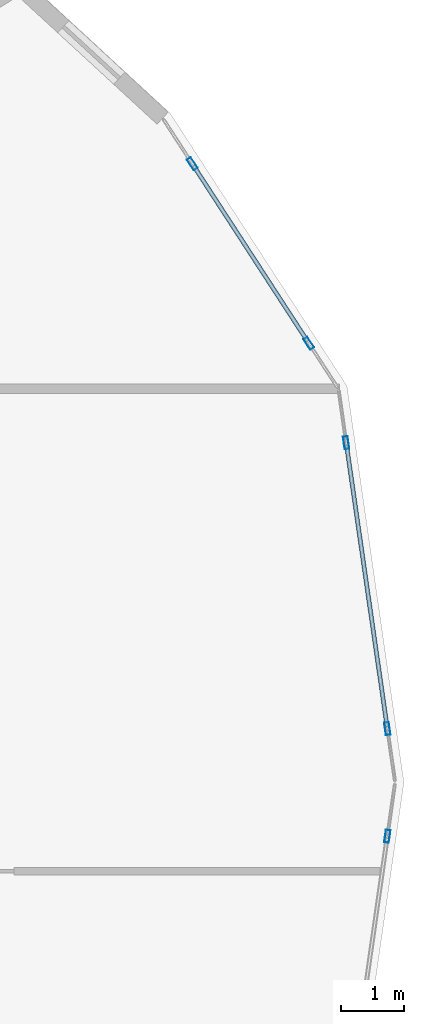
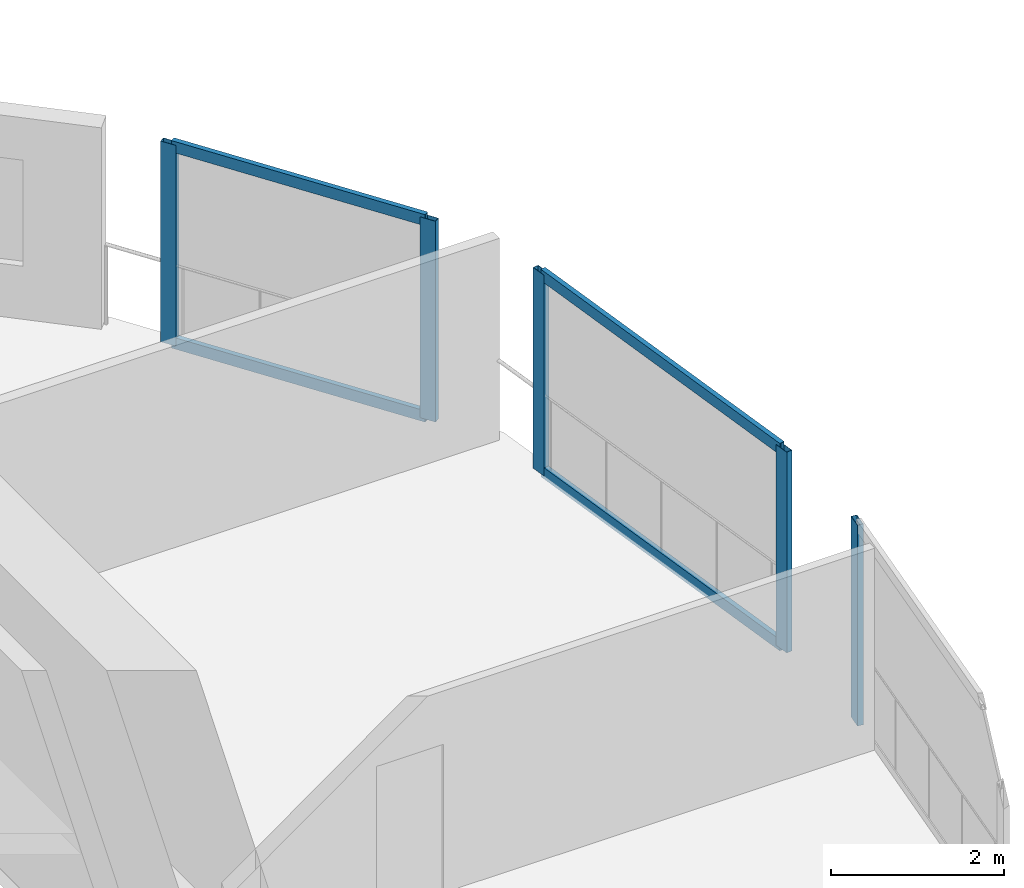
# One storey, part 5 of 14: 9 members, 3 elements without a shape of their own.
"""IFC4 building model written with IfcOpenShell, lengths in metres."""

import ifcopenshell
import ifcopenshell.guid

model = None  # the IFC model being written
_history = None  # IfcOwnerHistory: only IFC2X3 demands one
_inside = {}  # id of a spatial element -> (the spatial element, [elements in it])
_under = {}  # id of a project, library or spatial element -> (it, [spatial elements below it])
_declared = {}  # id of a project -> (the project, [libraries it declares])
_typed = {}  # id of a type object -> (the type object, [elements of that type])
_made_of = {}  # id of a material, layer set ... -> (it, [elements and type objects made of it])


def new_model(schema):
    """Start an empty IFC model of exactly this schema.

    Asked for "IFC4X3", IfcOpenShell would pick the latest addendum, in which some entities
    have other attributes; the version numbers below select the first issue.
    IFC2X3 requires an IfcOwnerHistory on every rooted entity: one is made here for all.
    """
    global model, _history
    if schema == "IFC4X3":
        model = ifcopenshell.file(schema_version=(4, 3, 0, 0))
    else:
        model = ifcopenshell.file(schema=schema)
    _inside.clear()
    _under.clear()
    _declared.clear()
    _typed.clear()
    _made_of.clear()
    _history = None
    if model.schema == "IFC2X3":
        org = make("IfcOrganization", Name="unknown")
        user = make(
            "IfcPersonAndOrganization",
            ThePerson=make("IfcPerson", FamilyName="unknown"),
            TheOrganization=org,
        )
        app = make(
            "IfcApplication",
            ApplicationDeveloper=org,
            Version="unknown",
            ApplicationFullName="unknown",
            ApplicationIdentifier="unknown",
        )
        _history = make(
            "IfcOwnerHistory",
            OwningUser=user,
            OwningApplication=app,
            ChangeAction="ADDED",
            CreationDate=0,
        )
    return model


def make(cls, **values):
    """One entity of the class cls with the attributes given. An attribute that is None is left unset."""
    return model.create_entity(
        cls, **{name: value for name, value in values.items() if value is not None}
    )


def rooted(cls, **values):
    """An entity with a GlobalId (a new one), such as an element, a storey or a relation."""
    return make(cls, GlobalId=ifcopenshell.guid.new(), OwnerHistory=_history, **values)


def si_unit(unit_type, name, prefix=None):
    """IfcSIUnit, for example si_unit("LENGTHUNIT", "METRE", prefix="MILLI")."""
    return make("IfcSIUnit", UnitType=unit_type, Prefix=prefix, Name=name)


def assignment(units):
    """IfcUnitAssignment: the units of a project."""
    return None if units is None else make("IfcUnitAssignment", Units=units)


def point(xyz):
    """IfcCartesianPoint."""
    return None if xyz is None else make("IfcCartesianPoint", Coordinates=xyz)


def direction(xyz):
    """IfcDirection."""
    return None if xyz is None else make("IfcDirection", DirectionRatios=xyz)


def frame(location, z_axis=None, x_axis=None):
    """IfcAxis2Placement3D, a coordinate frame: its origin and axes. An axis left out is left unset."""
    return make(
        "IfcAxis2Placement3D",
        Location=point(location),
        Axis=direction(z_axis),
        RefDirection=direction(x_axis),
    )


def frame_2d(location, x_axis=None):
    """IfcAxis2Placement2D, a coordinate frame in the plane: its origin and x axis."""
    return make(
        "IfcAxis2Placement2D", Location=point(location), RefDirection=direction(x_axis)
    )


def origin():
    """The frame at (0, 0, 0) with its axes left unset."""
    return frame((0.0, 0.0, 0.0))


def origin_2d():
    """The frame at (0, 0) in the plane with its x axis left unset."""
    return frame_2d((0.0, 0.0))


def place(relative_to, where):
    """IfcLocalPlacement: puts the frame where relative to a parent placement (None: the world)."""
    return make(
        "IfcLocalPlacement", PlacementRelTo=relative_to, RelativePlacement=where
    )


def context(
    kind, dimensions, precision=None, world=None, true_north=None, identifier=None
):
    """IfcGeometricRepresentationContext, for example the 3D "Model" context."""
    return make(
        "IfcGeometricRepresentationContext",
        ContextIdentifier=identifier,
        ContextType=kind,
        CoordinateSpaceDimension=dimensions,
        Precision=precision,
        WorldCoordinateSystem=world,
        TrueNorth=true_north,
    )


def subcontext(parent, identifier, kind, view, scale=None):
    """IfcGeometricRepresentationSubContext, for example "Body" below "Model"."""
    return make(
        "IfcGeometricRepresentationSubContext",
        ContextIdentifier=identifier,
        ContextType=kind,
        ParentContext=parent,
        TargetScale=scale,
        TargetView=view,
    )


def project(units=None, contexts=None):
    """IfcProject with its units and contexts."""
    return rooted(
        "IfcProject",
        Name="project",
        RepresentationContexts=contexts,
        UnitsInContext=assignment(units),
    )


def spatial(cls, under=None, at=None, **own):
    """A site, building, storey or space (cls), placed at a placement, below another one or the project."""
    s = rooted(cls, ObjectPlacement=at, **own)
    if under is not None:
        _under.setdefault(under.id(), (under, []))[1].append(s)
    return s


def profile(cls, at=None, kind="AREA", **sizes):
    """A parametric profile (cls). Its sizes go by their IFC names, for example OverallWidth=200.0."""
    return make(cls, ProfileType=kind, Position=at, **sizes)


def hollow_rectangle(**sizes):
    """IfcRectangleHollowProfileDef."""
    return profile("IfcRectangleHollowProfileDef", **sizes)


def extrude(swept, where, along, depth):
    """IfcExtrudedAreaSolid: the profile swept, set in the frame where, extruded along a direction by depth."""
    return make(
        "IfcExtrudedAreaSolid",
        SweptArea=swept,
        Position=where,
        ExtrudedDirection=direction(along),
        Depth=depth,
    )


def shape(context_of_items, identifier, shape_type, items):
    """IfcShapeRepresentation: the items that make up one representation, for example the "Body"."""
    return make(
        "IfcShapeRepresentation",
        ContextOfItems=context_of_items,
        RepresentationIdentifier=identifier,
        RepresentationType=shape_type,
        Items=items,
    )


def material(Name=None, Category=None):
    """IfcMaterial."""
    return make("IfcMaterial", Name=Name, Category=Category)


def layer(
    of_material, thickness, ventilated=None, Name=None, Category=None, Priority=None
):
    """IfcMaterialLayer: one layer of a wall or slab, of a material (None: an air gap)."""
    return make(
        "IfcMaterialLayer",
        Material=of_material,
        LayerThickness=thickness,
        IsVentilated=ventilated,
        Name=Name,
        Category=Category,
        Priority=Priority,
    )


def layer_set(layers, Name=None):
    """IfcMaterialLayerSet."""
    return make("IfcMaterialLayerSet", MaterialLayers=layers, LayerSetName=Name)


def material_profile(
    of_material, cross_section, Name=None, Category=None, Priority=None
):
    """IfcMaterialProfile: a cross section and its material."""
    return make(
        "IfcMaterialProfile",
        Name=Name,
        Material=of_material,
        Profile=cross_section,
        Priority=Priority,
        Category=Category,
    )


def profile_set(profiles, Name=None, composite=None):
    """IfcMaterialProfileSet."""
    return make(
        "IfcMaterialProfileSet",
        Name=Name,
        MaterialProfiles=profiles,
        CompositeProfile=composite,
    )


def made_of(thing, what):
    """Note that an element or type object is made of a material, layer set ...; save() writes the relation."""
    if what is not None:
        _made_of.setdefault(what.id(), (what, []))[1].append(thing)
    return thing


def type_object(cls, material=None, **own):
    """A type object (cls), such as IfcWallType, which elements share."""
    return made_of(rooted(cls, **own), material)


def element(
    cls,
    number,
    at=None,
    inside=None,
    cuts=None,
    type_object=None,
    material=None,
    context=None,
    identifier="Body",
    shape_type=None,
    held_by="IfcProductDefinitionShape",
    body=None,
    shapes=None,
    **own,
):
    """One element of the class cls, such as IfcWall. Its Tag is "e" and its number.

    at: its placement. inside: the storey or other place that contains it. cuts: it is an
    opening in that element (IfcRelVoidsElement). A single representation is given by context,
    identifier, shape_type and body (its items); several are given by shapes. held_by: the class
    of the entity that holds the representations. save() writes the other relations.
    """
    e = rooted(cls, Tag="e%d" % number, ObjectPlacement=at, **own)
    if body is not None:
        shapes = [shape(context, identifier, shape_type, body)]
    if shapes is not None:
        e.Representation = make(held_by, Representations=shapes)
    if inside is not None:
        _inside.setdefault(inside.id(), (inside, []))[1].append(e)
    if cuts is not None:
        rooted(
            "IfcRelVoidsElement", RelatingBuildingElement=cuts, RelatedOpeningElement=e
        )
    if type_object is not None:
        _typed.setdefault(type_object.id(), (type_object, []))[1].append(e)
    return made_of(e, material)


def aggregate(whole, parts):
    """IfcRelAggregates: a whole, such as a stair, and the parts it consists of."""
    return rooted("IfcRelAggregates", RelatingObject=whole, RelatedObjects=parts)


def save(model, path):
    """Write the relations noted so far, then the file.

    IfcRelAggregates (storeys below a building ...), IfcRelContainedInSpatialStructure (elements
    in a storey), IfcRelDefinesByType, IfcRelAssociatesMaterial and IfcRelDeclares: one each for
    every whole, place, type object, material and project.
    """
    for whole, parts in _under.values():
        aggregate(whole, parts)
    for where, things in _inside.values():
        rooted(
            "IfcRelContainedInSpatialStructure",
            RelatedElements=things,
            RelatingStructure=where,
        )
    for kind, things in _typed.values():
        rooted("IfcRelDefinesByType", RelatedObjects=things, RelatingType=kind)
    for what, things in _made_of.values():
        rooted("IfcRelAssociatesMaterial", RelatedObjects=things, RelatingMaterial=what)
    for by, libraries in _declared.values():
        rooted("IfcRelDeclares", RelatingContext=by, RelatedDefinitions=libraries)
    model.write(path)


model = new_model("IFC4")

# Units and contexts
model_context = context("Model", 3, precision=1e-05, world=origin(), true_north=direction((0.0, 1.0)))
body_context = subcontext(model_context, "Body", "Model", "MODEL_VIEW")
ifc_project = project(units=[si_unit("LENGTHUNIT", "METRE"), si_unit("AREAUNIT", "SQUARE_METRE"), si_unit("VOLUMEUNIT", "CUBIC_METRE"), si_unit("PLANEANGLEUNIT", "RADIAN"), si_unit("MASSUNIT", "GRAM", prefix="KILO")], contexts=[model_context])

# Site, building, storey
site_placement = place(None, origin())
site = spatial("IfcSite", under=ifc_project, at=site_placement, CompositionType="ELEMENT")
building_placement = place(site_placement, origin())
building = spatial("IfcBuilding", under=site, at=building_placement, Name="Solvane Sanctuary Tower", CompositionType="ELEMENT")
storey_placement = place(building_placement, frame((0.0, 0.0, 40.0)))
storey = spatial("IfcBuildingStorey", under=building, at=storey_placement, Name="L11", CompositionType="ELEMENT", Elevation=40.0)

# Curtain wall, members
ifc_material = material(Name="Anodised Aluminium 6063-T6", Category="aluminium")
ifc_layer = layer(ifc_material, 0.2099609375, Name="Anodised Aluminium 6063-T6")
ifc_layer_set = layer_set([ifc_layer], Name="Anodised Aluminium 6063-T6")
curtain_wall_type = type_object("IfcCurtainWallType", Name="Curtain Wall CW-PORTAL", PredefinedType="NOTDEFINED", material=ifc_layer_set)
curtain_wall_1_placement = place(storey_placement, origin())
curtain_wall_1 = element("IfcCurtainWall", 1, at=curtain_wall_1_placement, inside=storey, type_object=curtain_wall_type, Name="L11 CW-PORTAL Facade Run 00", PredefinedType="NOTDEFINED")
ifc_material_profile_1 = material_profile(ifc_material, hollow_rectangle(XDim=0.074951171875, YDim=0.199951171875, WallThickness=0.00390625, at=origin_2d()), Name="ALU200X75X4")
ifc_profile_set_1 = profile_set([ifc_material_profile_1], Name="Anodised Aluminium 6063-T6")
member_type_1 = type_object("IfcMemberType", Name="Member M-CW-MUL-1 ALU200X75X4", PredefinedType="MULLION", material=ifc_profile_set_1)
member_1_placement = place(storey_placement, frame((57.73779296875, 23.8486328125, 0.0), z_axis=(0.0, 0.0, 1.0), x_axis=(-0.989794236162, -0.142503929979, 0.0)))
member_1 = element("IfcMember", 2, at=member_1_placement, type_object=member_type_1, Name="CW-PORTAL mullion 1", PredefinedType="MULLION", context=body_context, shape_type="SweptSolid", body=[
    extrude(hollow_rectangle(XDim=0.074951171875, YDim=0.199951171875, WallThickness=0.00390625, at=origin_2d()), origin(), (0.0, 0.0, 1.0), 2.840087890625),
])
member_2_placement = place(storey_placement, frame((57.088623046875, 28.356689453125, 0.0), z_axis=(0.0, 0.0, 1.0), x_axis=(-0.989794236162, -0.142503929979, 0.0)))
member_2 = element("IfcMember", 3, at=member_2_placement, type_object=member_type_1, Name="CW-PORTAL mullion 2", PredefinedType="MULLION", context=body_context, shape_type="SweptSolid", body=[
    extrude(hollow_rectangle(XDim=0.074951171875, YDim=0.199951171875, WallThickness=0.00390625, at=origin_2d()), origin(), (0.0, 0.0, 1.0), 2.840087890625),
])

curtain_wall_2_placement = place(storey_placement, origin())
curtain_wall_2 = element("IfcCurtainWall", 4, at=curtain_wall_2_placement, inside=storey, type_object=curtain_wall_type, Name="L11 CW-PORTAL Facade Run 01", PredefinedType="NOTDEFINED")
member_3_placement = place(storey_placement, frame((56.49951171875, 29.924560546875, 0.0), z_axis=(0.0, 0.0, 1.0), x_axis=(-0.838732767639, -0.544543243911, 0.0)))
member_3 = element("IfcMember", 5, at=member_3_placement, type_object=member_type_1, Name="CW-PORTAL mullion 1", PredefinedType="MULLION", context=body_context, shape_type="SweptSolid", body=[
    extrude(hollow_rectangle(XDim=0.074951171875, YDim=0.199951171875, WallThickness=0.00390625, at=origin_2d()), origin(), (0.0, 0.0, 1.0), 2.840087890625),
])
member_4_placement = place(storey_placement, frame((54.660888671875, 32.75634765625, 0.0), z_axis=(0.0, 0.0, 1.0), x_axis=(-0.838732767639, -0.544543243911, 0.0)))
member_4 = element("IfcMember", 6, at=member_4_placement, type_object=member_type_1, Name="CW-PORTAL mullion 2", PredefinedType="MULLION", context=body_context, shape_type="SweptSolid", body=[
    extrude(hollow_rectangle(XDim=0.074951171875, YDim=0.199951171875, WallThickness=0.00390625, at=origin_2d()), origin(), (0.0, 0.0, 1.0), 2.840087890625),
])

# Curtain wall, member
curtain_wall_3_placement = place(storey_placement, origin())
curtain_wall_3 = element("IfcCurtainWall", 7, at=curtain_wall_3_placement, inside=storey, type_object=curtain_wall_type, Name="L11 CW-PORTAL Facade Run 23", PredefinedType="NOTDEFINED")
member_5_placement = place(storey_placement, frame((57.73779296875, 22.1513671875, 0.0), z_axis=(0.0, 0.0, 1.0), x_axis=(-0.989794236162, 0.142503929979, 0.0)))
member_5 = element("IfcMember", 8, at=member_5_placement, type_object=member_type_1, Name="CW-PORTAL mullion 2", PredefinedType="MULLION", context=body_context, shape_type="SweptSolid", body=[
    extrude(hollow_rectangle(XDim=0.074951171875, YDim=0.199951171875, WallThickness=0.00390625, at=origin_2d()), origin(), (0.0, 0.0, 1.0), 2.840087890625),
])
aggregate(curtain_wall_3, [member_5])

# Member
ifc_material_profile_2 = material_profile(ifc_material, hollow_rectangle(XDim=0.06494140625, YDim=0.159912109375, WallThickness=0.00341796875, at=origin_2d()), Name="ALU160X65X3.5")
ifc_profile_set_2 = profile_set([ifc_material_profile_2], Name="Anodised Aluminium 6063-T6")
member_type_2 = type_object("IfcMemberType", Name="Member M-CW-TRN-1 ALU160X65X3.5", PredefinedType="USERDEFINED", material=ifc_profile_set_2)
member_6_placement = place(storey_placement, frame((57.732421875, 23.8857421875, 0.032470703125), z_axis=(-0.14252000847, 0.989791921156, 0.0), x_axis=(-0.989791921156, -0.14252000847, 0.0)))
member_6 = element("IfcMember", 9, at=member_6_placement, type_object=member_type_2, Name="CW-PORTAL transom 1.1", ObjectType="TRANSOM", PredefinedType="USERDEFINED", context=body_context, shape_type="SweptSolid", body=[
    extrude(hollow_rectangle(XDim=0.06494140625, YDim=0.159912109375, WallThickness=0.00341796875, at=origin_2d()), origin(), (0.0, 0.0, 1.0), 4.4794921875),
])

member_7_placement = place(storey_placement, frame((57.732421875, 23.8857421875, 2.8076171875), z_axis=(-0.14252000847, 0.989791921156, 0.0), x_axis=(-0.989791921156, -0.14252000847, 0.0)))
member_7 = element("IfcMember", 10, at=member_7_placement, type_object=member_type_2, Name="CW-PORTAL transom 1.2", ObjectType="TRANSOM", PredefinedType="USERDEFINED", context=body_context, shape_type="SweptSolid", body=[
    extrude(hollow_rectangle(XDim=0.06494140625, YDim=0.159912109375, WallThickness=0.00341796875, at=origin_2d()), origin(), (0.0, 0.0, 1.0), 4.4794921875),
])

aggregate(curtain_wall_1, [member_1, member_2, member_6, member_7])

member_8_placement = place(storey_placement, frame((56.47900390625, 29.955810546875, 0.032470703125), z_axis=(-0.544523030782, 0.83874589057, 0.0), x_axis=(-0.83874589057, -0.544523030782, 0.0)))
member_8 = element("IfcMember", 11, at=member_8_placement, type_object=member_type_2, Name="CW-PORTAL transom 1.1", ObjectType="TRANSOM", PredefinedType="USERDEFINED", context=body_context, shape_type="SweptSolid", body=[
    extrude(hollow_rectangle(XDim=0.06494140625, YDim=0.159912109375, WallThickness=0.00341796875, at=origin_2d()), origin(), (0.0, 0.0, 1.0), 3.3017578125),
])

member_9_placement = place(storey_placement, frame((56.47900390625, 29.955810546875, 2.8076171875), z_axis=(-0.544523030782, 0.83874589057, 0.0), x_axis=(-0.83874589057, -0.544523030782, 0.0)))
member_9 = element("IfcMember", 12, at=member_9_placement, type_object=member_type_2, Name="CW-PORTAL transom 1.2", ObjectType="TRANSOM", PredefinedType="USERDEFINED", context=body_context, shape_type="SweptSolid", body=[
    extrude(hollow_rectangle(XDim=0.06494140625, YDim=0.159912109375, WallThickness=0.00341796875, at=origin_2d()), origin(), (0.0, 0.0, 1.0), 3.3017578125),
])

aggregate(curtain_wall_2, [member_3, member_4, member_8, member_9])

save(model, "model.ifc")
